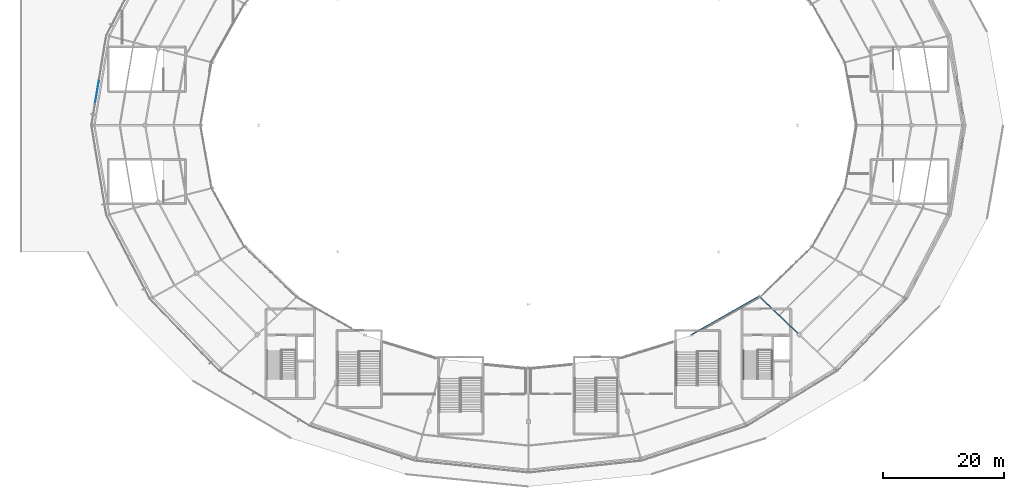
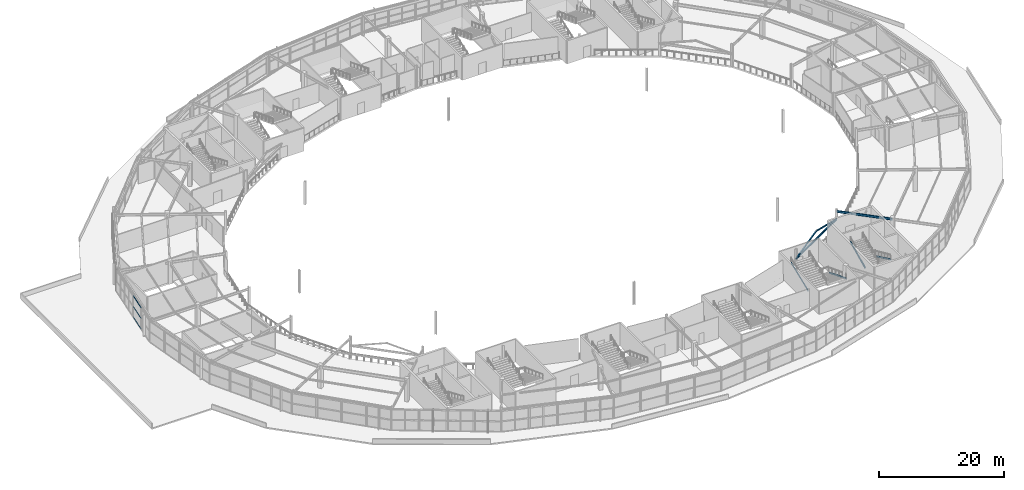
# One storey, part 49 of 126: 9 members, 2 beams, 1 element without a shape of its own.
"""IFC4 building model written with IfcOpenShell, lengths in metres."""

from ifc_helpers import new_model, si_unit, direction, frame, origin, origin_2d, place, context, subcontext, project, spatial, hollow_rectangle, i_section, extrude, material, layer, layer_set, material_profile, profile_set, type_object, element, aggregate, save


model = new_model("IFC4")

# Units and contexts
model_context = context("Model", 3, precision=1e-05, world=origin(), true_north=direction((0.0, 1.0)))
body_context = subcontext(model_context, "Body", "Model", "MODEL_VIEW")
ifc_project = project(units=[si_unit("LENGTHUNIT", "METRE"), si_unit("AREAUNIT", "SQUARE_METRE"), si_unit("VOLUMEUNIT", "CUBIC_METRE"), si_unit("PLANEANGLEUNIT", "RADIAN"), si_unit("MASSUNIT", "GRAM", prefix="KILO")], contexts=[model_context])

# Site, building, storey
site_placement = place(None, origin())
site = spatial("IfcSite", under=ifc_project, at=site_placement, CompositionType="ELEMENT")
building_placement = place(site_placement, origin())
building = spatial("IfcBuilding", under=site, at=building_placement, Name="Kalgoora Escarpment Arena", CompositionType="ELEMENT")
storey_placement = place(building_placement, frame((0.0, 0.0, 18.89990234375)))
storey = spatial("IfcBuildingStorey", under=building, at=storey_placement, Name="L04", CompositionType="ELEMENT", Elevation=18.89990234375)

# Beams
ifc_material_1 = material(Name="Structural steel AS/NZS 3679 (300 MPa)", Category="steel")
ifc_material_profile_1 = material_profile(ifc_material_1, i_section(OverallWidth=0.1708984375, OverallDepth=0.35205078125, WebThickness=0.0068359375, FlangeThickness=0.009765625, at=origin_2d()))
ifc_profile_set_1 = profile_set([ifc_material_profile_1], Name="Structural steel AS/NZS 3679 (300 MPa)")
beam_type_1 = type_object("IfcBeamType", Name="BM-BEAM-360UB44.7", PredefinedType="BEAM", material=ifc_profile_set_1)
beam_1_placement = place(storey_placement, frame((119.39990234375, 29.35888671875, 2.524169921875), z_axis=(0.869373733104, 0.494155149917, 0.0), x_axis=(-0.494155149917, 0.869373733104, 0.0)))
element("IfcBeam", 1, at=beam_1_placement, inside=storey, type_object=beam_type_1, Name="L04 Portal brace collector beam 360UB44.7", PredefinedType="BEAM", context=body_context, shape_type="SweptSolid", body=[
    extrude(i_section(OverallWidth=0.1708984375, OverallDepth=0.35205078125, WebThickness=0.0068359375, FlangeThickness=0.009765625, at=origin_2d()), origin(), (0.0, 0.0, 1.0), 12.8642578125),
])
ifc_material_2 = material(Name="Structural steel AS/NZS 3679 (300 MPa)", Category="steel")
ifc_material_profile_2 = material_profile(ifc_material_2, i_section(OverallWidth=0.177978515625, OverallDepth=0.406005859375, WebThickness=0.0078125, FlangeThickness=0.0126953125, at=origin_2d()))
ifc_profile_set_2 = profile_set([ifc_material_profile_2], Name="Structural steel AS/NZS 3679 (300 MPa)")
beam_type_2 = type_object("IfcBeamType", Name="BM-GIRDER-410UB59.7", PredefinedType="USERDEFINED", material=ifc_profile_set_2)
beam_2_placement = place(storey_placement, frame((130.583740234375, 35.7158203125, 4.027099609375), z_axis=(0.722313931554, -0.691565314546, 0.0), x_axis=(0.691565314546, 0.722313931554, 0.0)))
element("IfcBeam", 2, at=beam_2_placement, inside=storey, type_object=beam_type_2, Name="L04 Radial concourse girder 410UB59.7", ObjectType="GIRDER", PredefinedType="USERDEFINED", context=body_context, shape_type="SweptSolid", body=[
    extrude(i_section(OverallWidth=0.177978515625, OverallDepth=0.406005859375, WebThickness=0.0078125, FlangeThickness=0.0126953125, at=origin_2d()), origin(), (0.0, 0.0, 1.0), 9.202392578125),
])

# Members
ifc_material_3 = material(Name="Structural steel C350 (350 MPa)", Category="steel")
ifc_material_profile_3 = material_profile(ifc_material_3, hollow_rectangle(XDim=0.199951171875, YDim=0.199951171875, WallThickness=0.009033203125, at=origin_2d()))
ifc_profile_set_3 = profile_set([ifc_material_profile_3], Name="Structural steel C350 (350 MPa)")
member_type_1 = type_object("IfcMemberType", Name="MEM-BRACE-SHS200", PredefinedType="BRACE", material=ifc_profile_set_3)
member_1_placement = place(storey_placement, frame((119.39990234375, 29.35888671875, 2.52001953125), z_axis=(0.845779734252, 0.480733741988, 0.231412424997), x_axis=(-0.494146996878, 0.86937836727, 0.0)))
element("IfcMember", 3, at=member_1_placement, inside=storey, type_object=member_type_1, Name="L04 concentric lateral brace R21-1", PredefinedType="BRACE", context=body_context, shape_type="SweptSolid", body=[
    extrude(hollow_rectangle(XDim=0.199951171875, YDim=0.199951171875, WallThickness=0.009033203125, at=origin_2d()), origin(), (0.0, 0.0, 1.0), 6.61181640625),
])
member_2_placement = place(storey_placement, frame((130.583740234375, 35.7158203125, 2.52001953125), z_axis=(-0.845769222656, -0.480748756102, 0.231419652392), x_axis=(0.494163303182, -0.869369098708, 0.0)))
element("IfcMember", 4, at=member_2_placement, inside=storey, type_object=member_type_1, Name="L04 concentric lateral brace R21-2", PredefinedType="BRACE", context=body_context, shape_type="SweptSolid", body=[
    extrude(hollow_rectangle(XDim=0.199951171875, YDim=0.199951171875, WallThickness=0.009033203125, at=origin_2d()), origin(), (0.0, 0.0, 1.0), 6.611572265625),
])

# Curtain wall, members
ifc_material_4 = material(Name=" Champagne anodised aluminium & double-glazed low-E", Category="aluminium")
ifc_layer = layer(ifc_material_4, 0.14990234375)
ifc_layer_set = layer_set([ifc_layer], Name="CW-UNIT-20")
curtain_wall_type = type_object("IfcCurtainWallType", Name="CW-UNIT-20", PredefinedType="NOTDEFINED", material=ifc_layer_set)
curtain_wall_placement = place(storey_placement, origin())
curtain_wall = element("IfcCurtainWall", 5, at=curtain_wall_placement, inside=storey, type_object=curtain_wall_type, Name="L04 unitised facade curtain wall 139", PredefinedType="NOTDEFINED")
ifc_material_5 = material(Name="Anodised aluminium 6063-T6", Category="aluminium")
ifc_material_profile_4 = material_profile(ifc_material_5, hollow_rectangle(XDim=0.054931640625, YDim=0.1201171875, WallThickness=0.003173828125, at=origin_2d()))
ifc_profile_set_4 = profile_set([ifc_material_profile_4], Name="Anodised aluminium 6063-T6")
member_type_2 = type_object("IfcMemberType", Name="MEM-CW-TRAN-120", PredefinedType="USERDEFINED", material=ifc_profile_set_4)
member_3_placement = place(storey_placement, frame((20.753173828125, 67.81591796875, 0.047607421875), z_axis=(0.163252696722, 0.98658428784, 0.0), x_axis=(-0.98658428784, 0.163252696722, 0.0)))
member_3 = element("IfcMember", 6, at=member_3_placement, type_object=member_type_2, Name="CW-20 transom 1.1", ObjectType="TRANSOM", PredefinedType="USERDEFINED", context=body_context, shape_type="SweptSolid", body=[
    extrude(hollow_rectangle(XDim=0.054931640625, YDim=0.1201171875, WallThickness=0.003173828125, at=origin_2d()), origin(), (0.0, 0.0, 1.0), 3.557861328125),
])
member_4_placement = place(storey_placement, frame((20.753173828125, 67.81591796875, 2.110107421875), z_axis=(0.163252696722, 0.98658428784, 0.0), x_axis=(-0.98658428784, 0.163252696722, 0.0)))
member_4 = element("IfcMember", 7, at=member_4_placement, type_object=member_type_2, Name="CW-20 transom 1.2", ObjectType="TRANSOM", PredefinedType="USERDEFINED", context=body_context, shape_type="SweptSolid", body=[
    extrude(hollow_rectangle(XDim=0.054931640625, YDim=0.1201171875, WallThickness=0.003173828125, at=origin_2d()), origin(), (0.0, 0.0, 1.0), 3.557861328125),
])
member_5_placement = place(storey_placement, frame((20.753173828125, 67.81591796875, 4.152587890625), z_axis=(0.163252696722, 0.98658428784, 0.0), x_axis=(-0.98658428784, 0.163252696722, 0.0)))
member_5 = element("IfcMember", 8, at=member_5_placement, type_object=member_type_2, Name="CW-20 transom 1.3", ObjectType="TRANSOM", PredefinedType="USERDEFINED", context=body_context, shape_type="SweptSolid", body=[
    extrude(hollow_rectangle(XDim=0.054931640625, YDim=0.1201171875, WallThickness=0.003173828125, at=origin_2d()), origin(), (0.0, 0.0, 1.0), 3.557861328125),
])
aggregate(curtain_wall, [member_3, member_4, member_5])

# Members
ifc_material_6 = material(Name="Structural steel AS/NZS 3679 (300 MPa)", Category="steel")
ifc_material_profile_5 = material_profile(ifc_material_6, i_section(OverallWidth=0.090087890625, OverallDepth=0.300048828125, WebThickness=0.008056640625, FlangeThickness=0.01611328125, at=origin_2d()))
ifc_profile_set_5 = profile_set([ifc_material_profile_5], Name="Structural steel AS/NZS 3679 (300 MPa)")
member_type_3 = type_object("IfcMemberType", Name="MEM-STRINGER-PFC", PredefinedType="STRINGER", material=ifc_profile_set_5)
for number, where, z_axis, x_axis, name in (
    (9, (132.72998046875, 26.7099609375, -0.039794921875), (0.0, -0.902682652253, 0.430306901317), (1.0, 0.0, 0.0), "ST06 L04 steel stair stringer 1"),
    (10, (127.969970703125, 21.989990234375, 2.210205078125), (0.0, 0.902682652253, 0.430306901317), (-1.0, 0.0, 0.0), "ST06 L04 steel stair stringer 2"),
):
    element("IfcMember", number, at=place(storey_placement, frame(where, z_axis=z_axis, x_axis=x_axis)), inside=storey, type_object=member_type_3, Name=name, PredefinedType="STRINGER", context=body_context, shape_type="SweptSolid", body=[
        extrude(i_section(OverallWidth=0.090087890625, OverallDepth=0.300048828125, WebThickness=0.008056640625, FlangeThickness=0.01611328125, at=origin_2d()), origin(), (0.0, 0.0, 1.0), 5.228759765625),
    ])
for number, where, z_axis, x_axis, name in (
    (11, (123.929931640625, 26.510009765625, -0.039794921875), (0.0, -0.926975796404, 0.375121144273), (1.0, 0.0, 0.0), "ST16 L04 steel stair stringer 1"),
    (12, (116.8701171875, 20.949951171875, 2.210205078125), (0.0, 0.926975796404, 0.375121144273), (-1.0, 0.0, 0.0), "ST16 L04 steel stair stringer 2"),
):
    element("IfcMember", number, at=place(storey_placement, frame(where, z_axis=z_axis, x_axis=x_axis)), inside=storey, type_object=member_type_3, Name=name, PredefinedType="STRINGER", context=body_context, shape_type="SweptSolid", body=[
        extrude(i_section(OverallWidth=0.090087890625, OverallDepth=0.300048828125, WebThickness=0.008056640625, FlangeThickness=0.01611328125, at=origin_2d()), origin(), (0.0, 0.0, 1.0), 5.998046875),
    ])

save(model, "model.ifc")
